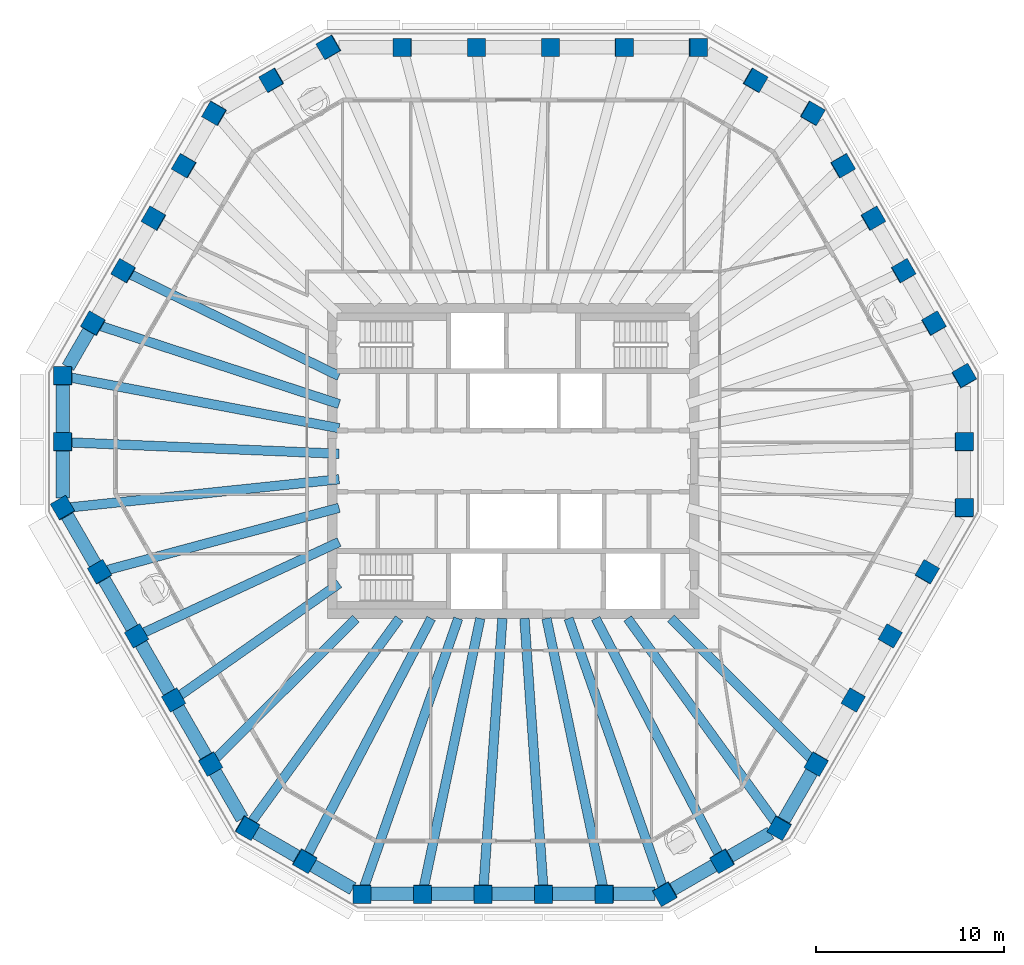
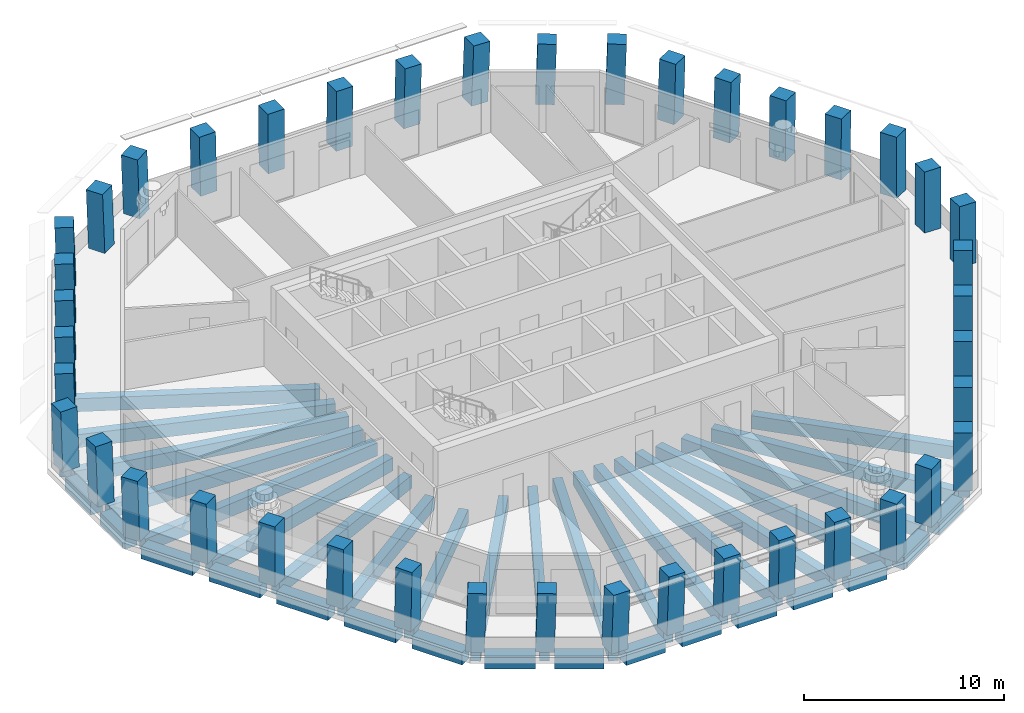
# One storey, part 1 of 11: 42 columns, 38 beams.
"""IFC4 building model written with IfcOpenShell, lengths in metres."""

from ifc_helpers import new_model, si_unit, direction, frame, origin, origin_2d, place, context, subcontext, project, spatial, rectangle, extrude, material, material_profile, profile_set, type_object, element, save


model = new_model("IFC4")

# Units and contexts
model_context = context("Model", 3, precision=1e-05, world=origin(), true_north=direction((0.0, 1.0)))
body_context = subcontext(model_context, "Body", "Model", "MODEL_VIEW")
ifc_project = project(units=[si_unit("LENGTHUNIT", "METRE"), si_unit("AREAUNIT", "SQUARE_METRE"), si_unit("VOLUMEUNIT", "CUBIC_METRE"), si_unit("PLANEANGLEUNIT", "RADIAN"), si_unit("MASSUNIT", "GRAM", prefix="KILO")], contexts=[model_context])

# Site, building, storey
site_placement = place(None, origin())
site = spatial("IfcSite", under=ifc_project, at=site_placement, CompositionType="ELEMENT")
building_placement = place(site_placement, origin())
building = spatial("IfcBuilding", under=site, at=building_placement, Name="Frailejon Research Tower", CompositionType="ELEMENT")
storey_placement = place(building_placement, frame((0.0, 0.0, 295.0)))
storey = spatial("IfcBuildingStorey", under=building, at=storey_placement, Name="L65", CompositionType="ELEMENT", Elevation=295.0)

# Columns
ifc_material_1 = material(Name="Concrete C50/60", Category="concrete")
ifc_material_profile_1 = material_profile(ifc_material_1, rectangle(XDim=0.949951171875, YDim=0.949951171875, at=origin_2d()), Name="Column 950")
ifc_profile_set_1 = profile_set([ifc_material_profile_1], Name="Concrete C50/60")
column_type = type_object("IfcColumnType", Name="Column 950", PredefinedType="COLUMN", material=ifc_profile_set_1)
for number, where, z_axis, x_axis, name in (
    (1, (23.904296875, -2.496337890625, 0.0), (0.018164955404, 0.03143676784, 0.99934066465), (-0.000376312415, 0.999505723656, -0.031435119977), "Column C01"),
    (2, (23.904296875, 1.005615234375, 0.0), (0.018164955404, 0.03143676784, 0.99934066465), (-0.000376312415, 0.999505723656, -0.031435119977), "Column C02"),
    (3, (23.904296875, 4.507568359375, 0.0), (0.018164955404, 0.03143676784, 0.99934066465), (-0.500243362495, 0.865694824541, -0.018139708999), "Column C03"),
):
    element("IfcColumn", number, at=place(storey_placement, frame(where, z_axis=z_axis, x_axis=x_axis)), inside=storey, type_object=column_type, Name=name, PredefinedType="COLUMN", context=body_context, shape_type="SweptSolid", body=[
        extrude(rectangle(XDim=0.949951171875, YDim=0.949951171875, at=origin_2d()), origin(), (0.0, 0.0, 1.0), 3.642333984375),
    ])
column_1_placement = place(storey_placement, frame((22.294677734375, 7.295654296875, 0.0), z_axis=(0.021786848517, 0.025138671366, 0.999446537056), x_axis=(-0.499840745781, 0.866048897927, -0.010887389788)))
element("IfcColumn", 4, at=column_1_placement, inside=storey, type_object=column_type, Name="Column C04", PredefinedType="COLUMN", context=body_context, shape_type="SweptSolid", body=[
    extrude(rectangle(XDim=0.949951171875, YDim=0.949951171875, at=origin_2d()), origin(), (0.0, 0.0, 1.0), 3.641845703125),
])
for number, where, z_axis, x_axis, name in (
    (5, (20.68505859375, 10.083740234375, 0.0), (0.025408167311, 0.018838245421, 0.999499647595), (-0.499703712508, 0.866188822081, -0.003622734722), "Column C05"),
    (6, (19.0751953125, 12.871826171875, 0.0), (0.029028337746, 0.012536487664, 0.999499971028), (-0.499520818378, 0.866294227933, 0.003641793127), "Column C06"),
):
    element("IfcColumn", number, at=place(storey_placement, frame(where, z_axis=z_axis, x_axis=x_axis)), inside=storey, type_object=column_type, Name=name, PredefinedType="COLUMN", context=body_context, shape_type="SweptSolid", body=[
        extrude(rectangle(XDim=0.949951171875, YDim=0.949951171875, at=origin_2d()), origin(), (0.0, 0.0, 1.0), 3.6416015625),
    ])
column_2_placement = place(storey_placement, frame((17.465576171875, 15.659912109375, 0.0), z_axis=(0.032646772519, 0.006301430425, 0.999447087253), x_axis=(-0.500366215775, 0.865745428355, 0.010885926408)))
element("IfcColumn", 7, at=column_2_placement, inside=storey, type_object=column_type, Name="Column C07", PredefinedType="COLUMN", context=body_context, shape_type="SweptSolid", body=[
    extrude(rectangle(XDim=0.949951171875, YDim=0.949951171875, at=origin_2d()), origin(), (0.0, 0.0, 1.0), 3.641845703125),
])
for number, where, z_axis, x_axis, name in (
    (8, (15.85595703125, 18.447998046875, 0.0), (0.036262940188, 0.0, 0.999342283289), (-0.865313618606, 0.500246354177, 0.03139946795), "Column C08"),
    (9, (12.822998046875, 20.198974609375, 0.0), (0.036262940188, 0.0, 0.999342283289), (-0.865313618606, 0.500246354177, 0.03139946795), "Column C09"),
    (10, (9.790283203125, 21.949951171875, 0.0), (0.036262940188, 0.0, 0.999342283289), (-0.999342283289, 0.0, 0.036262940188), "Column C10"),
):
    element("IfcColumn", number, at=place(storey_placement, frame(where, z_axis=z_axis, x_axis=x_axis)), inside=storey, type_object=column_type, Name=name, PredefinedType="COLUMN", context=body_context, shape_type="SweptSolid", body=[
        extrude(rectangle(XDim=0.949951171875, YDim=0.949951171875, at=origin_2d()), origin(), (0.0, 0.0, 1.0), 3.642333984375),
    ])
column_3_placement = place(storey_placement, frame((5.874267578125, 21.949951171875, 0.0), z_axis=(0.021793735912, 0.0, 0.999762488332), x_axis=(-0.999762488332, 0.0, 0.021793735912)))
element("IfcColumn", 11, at=column_3_placement, inside=storey, type_object=column_type, Name="Column C11", PredefinedType="COLUMN", context=body_context, shape_type="SweptSolid", body=[
    extrude(rectangle(XDim=0.949951171875, YDim=0.949951171875, at=origin_2d()), origin(), (0.0, 0.0, 1.0), 3.640869140625),
])
for number, where, z_axis, x_axis, name in (
    (12, (1.9580078125, 21.949951171875, 0.0), (0.00729077612, 0.0, 0.999973421939), (-0.999973421939, 0.0, 0.00729077612), "Column C12"),
    (13, (-1.9580078125, 21.949951171875, 0.0), (-0.00729077612, 0.0, 0.999973421939), (-0.999973421939, 0.0, -0.00729077612), "Column C13"),
):
    element("IfcColumn", number, at=place(storey_placement, frame(where, z_axis=z_axis, x_axis=x_axis)), inside=storey, type_object=column_type, Name=name, PredefinedType="COLUMN", context=body_context, shape_type="SweptSolid", body=[
        extrude(rectangle(XDim=0.949951171875, YDim=0.949951171875, at=origin_2d()), origin(), (0.0, 0.0, 1.0), 3.64990234375),
    ])
column_4_placement = place(storey_placement, frame((-5.874267578125, 21.949951171875, 0.0), z_axis=(-0.021793735912, 0.0, 0.999762488332), x_axis=(-0.999762488332, 0.0, -0.021793735912)))
element("IfcColumn", 14, at=column_4_placement, inside=storey, type_object=column_type, Name="Column C14", PredefinedType="COLUMN", context=body_context, shape_type="SweptSolid", body=[
    extrude(rectangle(XDim=0.949951171875, YDim=0.949951171875, at=origin_2d()), origin(), (0.0, 0.0, 1.0), 3.640869140625),
])
for number, where, z_axis, x_axis, name in (
    (15, (-9.790283203125, 21.949951171875, 0.0), (-0.036262940188, 0.0, 0.999342283289), (-0.865313618606, -0.500246354177, -0.03139946795), "Column C15"),
    (16, (-12.822998046875, 20.198974609375, 0.0), (-0.036262940188, 0.0, 0.999342283289), (-0.865313618606, -0.500246354177, -0.03139946795), "Column C16"),
    (17, (-15.85595703125, 18.447998046875, 0.0), (-0.036262940188, 0.0, 0.999342283289), (-0.499424909059, -0.866167613071, -0.0181225351), "Column C17"),
):
    element("IfcColumn", number, at=place(storey_placement, frame(where, z_axis=z_axis, x_axis=x_axis)), inside=storey, type_object=column_type, Name=name, PredefinedType="COLUMN", context=body_context, shape_type="SweptSolid", body=[
        extrude(rectangle(XDim=0.949951171875, YDim=0.949951171875, at=origin_2d()), origin(), (0.0, 0.0, 1.0), 3.642333984375),
    ])
column_5_placement = place(storey_placement, frame((-17.465576171875, 15.659912109375, 0.0), z_axis=(-0.032646772519, 0.006301430425, 0.999447087253), x_axis=(-0.500366215775, -0.865745428355, -0.010885926408)))
element("IfcColumn", 18, at=column_5_placement, inside=storey, type_object=column_type, Name="Column C18", PredefinedType="COLUMN", context=body_context, shape_type="SweptSolid", body=[
    extrude(rectangle(XDim=0.949951171875, YDim=0.949951171875, at=origin_2d()), origin(), (0.0, 0.0, 1.0), 3.641845703125),
])
for number, where, z_axis, x_axis, name in (
    (19, (-19.0751953125, 12.871826171875, 0.0), (-0.029028337746, 0.012536487664, 0.999499971028), (-0.499520818378, -0.866294227933, -0.003641793127), "Column C19"),
    (20, (-20.68505859375, 10.083740234375, 0.0), (-0.025408167311, 0.018838245421, 0.999499647595), (-0.499703712508, -0.866188822081, 0.003622734722), "Column C20"),
):
    element("IfcColumn", number, at=place(storey_placement, frame(where, z_axis=z_axis, x_axis=x_axis)), inside=storey, type_object=column_type, Name=name, PredefinedType="COLUMN", context=body_context, shape_type="SweptSolid", body=[
        extrude(rectangle(XDim=0.949951171875, YDim=0.949951171875, at=origin_2d()), origin(), (0.0, 0.0, 1.0), 3.6416015625),
    ])
column_6_placement = place(storey_placement, frame((-22.294677734375, 7.295654296875, 0.0), z_axis=(-0.021786848517, 0.025138671366, 0.999446537056), x_axis=(-0.499840745781, -0.866048897927, 0.010887389788)))
element("IfcColumn", 21, at=column_6_placement, inside=storey, type_object=column_type, Name="Column C21", PredefinedType="COLUMN", context=body_context, shape_type="SweptSolid", body=[
    extrude(rectangle(XDim=0.949951171875, YDim=0.949951171875, at=origin_2d()), origin(), (0.0, 0.0, 1.0), 3.641845703125),
])
for number, where, z_axis, x_axis, name in (
    (22, (-23.904296875, 4.507568359375, 0.0), (-0.018164955404, 0.03143676784, 0.99934066465), (-0.000376312415, -0.999505723656, 0.031435119977), "Column C22"),
    (23, (-23.904296875, 1.005615234375, 0.0), (-0.018164955404, 0.03143676784, 0.99934066465), (-0.000376312415, -0.999505723656, 0.031435119977), "Column C23"),
    (24, (-23.904296875, -2.496337890625, 0.0), (-0.018164955404, 0.03143676784, 0.99934066465), (0.499837937326, -0.865357614208, 0.036307519088), "Column C24"),
):
    element("IfcColumn", number, at=place(storey_placement, frame(where, z_axis=z_axis, x_axis=x_axis)), inside=storey, type_object=column_type, Name=name, PredefinedType="COLUMN", context=body_context, shape_type="SweptSolid", body=[
        extrude(rectangle(XDim=0.949951171875, YDim=0.949951171875, at=origin_2d()), origin(), (0.0, 0.0, 1.0), 3.642333984375),
    ])
column_7_placement = place(storey_placement, frame((-21.9462890625, -5.8876953125, 0.0), z_axis=(-0.010930399115, 0.018843203382, 0.999762701876), x_axis=(0.501922852191, -0.864638022851, 0.021783936503)))
element("IfcColumn", 25, at=column_7_placement, inside=storey, type_object=column_type, Name="Column C25", PredefinedType="COLUMN", context=body_context, shape_type="SweptSolid", body=[
    extrude(rectangle(XDim=0.949951171875, YDim=0.949951171875, at=origin_2d()), origin(), (0.0, 0.0, 1.0), 3.640869140625),
])
for number, where, z_axis, x_axis, name in (
    (26, (-19.98828125, -9.279296875, 0.0), (-0.003611945175, 0.00628746012, 0.999973710503), (0.499382072477, -0.866351526517, 0.007251081967), "Column C26"),
    (27, (-18.0302734375, -12.670654296875, 0.0), (0.003611945175, -0.00628746012, 0.999973710503), (0.499382072477, -0.866351526517, -0.007251081967), "Column C27"),
):
    element("IfcColumn", number, at=place(storey_placement, frame(where, z_axis=z_axis, x_axis=x_axis)), inside=storey, type_object=column_type, Name=name, PredefinedType="COLUMN", context=body_context, shape_type="SweptSolid", body=[
        extrude(rectangle(XDim=0.949951171875, YDim=0.949951171875, at=origin_2d()), origin(), (0.0, 0.0, 1.0), 3.64990234375),
    ])
column_8_placement = place(storey_placement, frame((-16.072265625, -16.062255859375, 0.0), z_axis=(0.010930399115, -0.018843203382, 0.999762701876), x_axis=(0.501062225234, -0.865137045051, -0.021783932683)))
element("IfcColumn", 28, at=column_8_placement, inside=storey, type_object=column_type, Name="Column C28", PredefinedType="COLUMN", context=body_context, shape_type="SweptSolid", body=[
    extrude(rectangle(XDim=0.949951171875, YDim=0.949951171875, at=origin_2d()), origin(), (0.0, 0.0, 1.0), 3.640869140625),
])
for number, where, z_axis, x_axis, name in (
    (29, (-14.114013671875, -19.45361328125, 0.0), (0.018097948044, -0.031436806046, 0.99934187919), (0.865180544284, -0.500475684362, -0.031412022464), "Column C29"),
    (30, (-11.081298828125, -21.20458984375, 0.0), (0.018164955404, -0.03143676784, 0.99934066465), (0.865979654382, -0.499089874364, -0.031440984467), "Column C30"),
    (31, (-8.048583984375, -22.95556640625, 0.0), (0.018164955404, -0.03143676784, 0.99934066465), (0.999834984703, 0.000765393762, -0.018149863249), "Column C31"),
):
    element("IfcColumn", number, at=place(storey_placement, frame(where, z_axis=z_axis, x_axis=x_axis)), inside=storey, type_object=column_type, Name=name, PredefinedType="COLUMN", context=body_context, shape_type="SweptSolid", body=[
        extrude(rectangle(XDim=0.949951171875, YDim=0.949951171875, at=origin_2d()), origin(), (0.0, 0.0, 1.0), 3.642333984375),
    ])
column_9_placement = place(storey_placement, frame((-4.8291015625, -22.95556640625, 0.0), z_axis=(0.010859907128, -0.031440101501, 0.999446638113), x_axis=(0.999940862965, -0.000235344441, -0.010872680686)))
element("IfcColumn", 32, at=column_9_placement, inside=storey, type_object=column_type, Name="Column C32", PredefinedType="COLUMN", context=body_context, shape_type="SweptSolid", body=[
    extrude(rectangle(XDim=0.949951171875, YDim=0.949951171875, at=origin_2d()), origin(), (0.0, 0.0, 1.0), 3.641845703125),
])
for number, where, z_axis, x_axis, name in (
    (33, (-1.609619140625, -22.95556640625, 0.0), (0.003620158804, -0.031441749617, 0.99949902993), (0.999993424429, -9.9492807e-05, -0.003625079284), "Column C33"),
    (34, (1.609619140625, -22.95556640625, 0.0), (-0.003620158804, -0.031441749617, 0.99949902993), (0.999993424429, 9.9492807e-05, 0.003625079284), "Column C34"),
):
    element("IfcColumn", number, at=place(storey_placement, frame(where, z_axis=z_axis, x_axis=x_axis)), inside=storey, type_object=column_type, Name=name, PredefinedType="COLUMN", context=body_context, shape_type="SweptSolid", body=[
        extrude(rectangle(XDim=0.949951171875, YDim=0.949951171875, at=origin_2d()), origin(), (0.0, 0.0, 1.0), 3.6416015625),
    ])
column_10_placement = place(storey_placement, frame((4.8291015625, -22.95556640625, 0.0), z_axis=(-0.010859907128, -0.031440101501, 0.999446638113), x_axis=(0.999940862965, 0.000235344441, 0.010872680686)))
element("IfcColumn", 35, at=column_10_placement, inside=storey, type_object=column_type, Name="Column C35", PredefinedType="COLUMN", context=body_context, shape_type="SweptSolid", body=[
    extrude(rectangle(XDim=0.949951171875, YDim=0.949951171875, at=origin_2d()), origin(), (0.0, 0.0, 1.0), 3.641845703125),
])
for number, where, z_axis, x_axis, name in (
    (36, (8.048583984375, -22.95556640625, 0.0), (-0.018164955404, -0.03143676784, 0.99934066465), (0.865979654382, 0.499089874364, 0.031440984467), "Column C36"),
    (37, (11.081298828125, -21.20458984375, 0.0), (-0.018164955404, -0.03143676784, 0.99934066465), (0.865979654382, 0.499089874364, 0.031440984467), "Column C37"),
    (38, (14.114013671875, -19.45361328125, 0.0), (-0.018097948044, -0.031436806046, 0.99934187919), (0.498453361452, 0.866157282481, 0.036274074256), "Column C38"),
):
    element("IfcColumn", number, at=place(storey_placement, frame(where, z_axis=z_axis, x_axis=x_axis)), inside=storey, type_object=column_type, Name=name, PredefinedType="COLUMN", context=body_context, shape_type="SweptSolid", body=[
        extrude(rectangle(XDim=0.949951171875, YDim=0.949951171875, at=origin_2d()), origin(), (0.0, 0.0, 1.0), 3.642333984375),
    ])
column_11_placement = place(storey_placement, frame((16.072265625, -16.062255859375, 0.0), z_axis=(-0.010930399115, -0.018843203382, 0.999762701876), x_axis=(0.501062225234, 0.865137045051, 0.021783932683)))
element("IfcColumn", 39, at=column_11_placement, inside=storey, type_object=column_type, Name="Column C39", PredefinedType="COLUMN", context=body_context, shape_type="SweptSolid", body=[
    extrude(rectangle(XDim=0.949951171875, YDim=0.949951171875, at=origin_2d()), origin(), (0.0, 0.0, 1.0), 3.640869140625),
])
for number, where, z_axis, x_axis, name in (
    (40, (18.0302734375, -12.670654296875, 0.0), (-0.003611945175, -0.00628746012, 0.999973710503), (0.499382072477, 0.866351526517, 0.007251081967), "Column C40"),
    (41, (19.98828125, -9.279296875, 0.0), (0.003611945175, 0.00628746012, 0.999973710503), (0.499382072477, 0.866351526517, -0.007251081967), "Column C41"),
):
    element("IfcColumn", number, at=place(storey_placement, frame(where, z_axis=z_axis, x_axis=x_axis)), inside=storey, type_object=column_type, Name=name, PredefinedType="COLUMN", context=body_context, shape_type="SweptSolid", body=[
        extrude(rectangle(XDim=0.949951171875, YDim=0.949951171875, at=origin_2d()), origin(), (0.0, 0.0, 1.0), 3.64990234375),
    ])
column_12_placement = place(storey_placement, frame((21.9462890625, -5.8876953125, 0.0), z_axis=(0.010930399115, 0.018843203382, 0.999762701876), x_axis=(0.501922852191, 0.864638022851, -0.021783936503)))
element("IfcColumn", 42, at=column_12_placement, inside=storey, type_object=column_type, Name="Column C42", PredefinedType="COLUMN", context=body_context, shape_type="SweptSolid", body=[
    extrude(rectangle(XDim=0.949951171875, YDim=0.949951171875, at=origin_2d()), origin(), (0.0, 0.0, 1.0), 3.640869140625),
])

# Beams
ifc_material_2 = material(Name="Concrete C60/75", Category="concrete")
ifc_material_profile_2 = material_profile(ifc_material_2, rectangle(XDim=0.5, YDim=0.800048828125, at=origin_2d()), Name="Girder 500x800")
ifc_profile_set_2 = profile_set([ifc_material_profile_2], Name="Concrete C60/75")
beam_type_1 = type_object("IfcBeamType", Name="Girder 500x800", PredefinedType="BEAM", material=ifc_profile_set_2)
beam_1_placement = place(storey_placement, frame((-20.391845703125, 9.94091796875, -0.699951171875), z_axis=(0.898876695424, -0.438201650411, 0.0), x_axis=(0.438201650411, 0.898876695424, 0.0)))
element("IfcBeam", 43, at=beam_1_placement, inside=storey, type_object=beam_type_1, Name="Girder 500x800", PredefinedType="BEAM", context=body_context, shape_type="SweptSolid", body=[
    extrude(rectangle(XDim=0.5, YDim=0.800048828125, at=origin_2d()), origin(), (0.0, 0.0, 1.0), 12.395263671875),
])
beam_2_placement = place(storey_placement, frame((-21.975830078125, 7.19140625, -0.699951171875), z_axis=(0.950408398304, -0.311004624458, 0.0), x_axis=(0.311004624458, 0.950408398304, 0.0)))
element("IfcBeam", 44, at=beam_2_placement, inside=storey, type_object=beam_type_1, Name="Girder 500x800", PredefinedType="BEAM", context=body_context, shape_type="SweptSolid", body=[
    extrude(rectangle(XDim=0.5, YDim=0.800048828125, at=origin_2d()), origin(), (0.0, 0.0, 1.0), 13.389892578125),
])
beam_3_placement = place(storey_placement, frame((-23.576904296875, 4.44580078125, -0.699951171875), z_axis=(0.982683809216, -0.18529039669, 0.0), x_axis=(0.18529039669, 0.982683809216, 0.0)))
element("IfcBeam", 45, at=beam_3_placement, inside=storey, type_object=beam_type_1, Name="Girder 500x800", PredefinedType="BEAM", context=body_context, shape_type="SweptSolid", body=[
    extrude(rectangle(XDim=0.5, YDim=0.800048828125, at=origin_2d()), origin(), (0.0, 0.0, 1.0), 14.579345703125),
])
beam_4_placement = place(storey_placement, frame((-23.579345703125, 0.991943359375, -0.699951171875), z_axis=(0.999116383848, -0.042029174718, 0.0), x_axis=(0.042029174718, 0.999116383848, 0.0)))
element("IfcBeam", 46, at=beam_4_placement, inside=storey, type_object=beam_type_1, Name="Girder 500x800", PredefinedType="BEAM", context=body_context, shape_type="SweptSolid", body=[
    extrude(rectangle(XDim=0.5, YDim=0.800048828125, at=origin_2d()), origin(), (0.0, 0.0, 1.0), 14.342041015625),
])
beam_5_placement = place(storey_placement, frame((-23.536376953125, -2.4580078125, -0.699951171875), z_axis=(0.994591263439, 0.103866350135, 0.0), x_axis=(-0.103866350135, 0.994591263439, 0.0)))
element("IfcBeam", 47, at=beam_5_placement, inside=storey, type_object=beam_type_1, Name="Girder 500x800", PredefinedType="BEAM", context=body_context, shape_type="SweptSolid", body=[
    extrude(rectangle(XDim=0.5, YDim=0.800048828125, at=origin_2d()), origin(), (0.0, 0.0, 1.0), 14.364013671875),
])
beam_6_placement = place(storey_placement, frame((-21.616455078125, -5.79931640625, -0.699951171875), z_axis=(0.965846794613, 0.259113815411, 0.0), x_axis=(-0.259113815411, 0.965846794613, 0.0)))
element("IfcBeam", 48, at=beam_6_placement, inside=storey, type_object=beam_type_1, Name="Girder 500x800", PredefinedType="BEAM", context=body_context, shape_type="SweptSolid", body=[
    extrude(rectangle(XDim=0.5, YDim=0.800048828125, at=origin_2d()), origin(), (0.0, 0.0, 1.0), 12.8037109375),
])
beam_7_placement = place(storey_placement, frame((-19.69189453125, -9.1416015625, -0.699951171875), z_axis=(0.907029216956, 0.421067690032, 0.0), x_axis=(-0.421067690032, 0.907029216956, 0.0)))
element("IfcBeam", 49, at=beam_7_placement, inside=storey, type_object=beam_type_1, Name="Girder 500x800", PredefinedType="BEAM", context=body_context, shape_type="SweptSolid", body=[
    extrude(rectangle(XDim=0.5, YDim=0.800048828125, at=origin_2d()), origin(), (0.0, 0.0, 1.0), 11.51220703125),
])
beam_8_placement = place(storey_placement, frame((-17.7626953125, -12.48291015625, -0.699951171875), z_axis=(0.81816782984, 0.574979479821, 0.0), x_axis=(-0.574979479821, 0.81816782984, 0.0)))
element("IfcBeam", 50, at=beam_8_placement, inside=storey, type_object=beam_type_1, Name="Girder 500x800", PredefinedType="BEAM", context=body_context, shape_type="SweptSolid", body=[
    extrude(rectangle(XDim=0.5, YDim=0.800048828125, at=origin_2d()), origin(), (0.0, 0.0, 1.0), 10.404541015625),
])
beam_9_placement = place(storey_placement, frame((-15.83056640625, -15.820556640625, -0.699951171875), z_axis=(0.707337756141, 0.70687573076, 0.0), x_axis=(-0.70687573076, 0.707337756141, 0.0)))
element("IfcBeam", 51, at=beam_9_placement, inside=storey, type_object=beam_type_1, Name="Girder 500x800", PredefinedType="BEAM", context=body_context, shape_type="SweptSolid", body=[
    extrude(rectangle(XDim=0.5, YDim=0.800048828125, at=origin_2d()), origin(), (0.0, 0.0, 1.0), 10.568359375),
])
beam_10_placement = place(storey_placement, frame((-13.921630859375, -19.188720703125, -0.699951171875), z_axis=(0.587237920644, 0.809414371356, 0.0), x_axis=(-0.809414371356, 0.587237920644, 0.0)))
element("IfcBeam", 52, at=beam_10_placement, inside=storey, type_object=beam_type_1, Name="Girder 500x800", PredefinedType="BEAM", context=body_context, shape_type="SweptSolid", body=[
    extrude(rectangle(XDim=0.5, YDim=0.800048828125, at=origin_2d()), origin(), (0.0, 0.0, 1.0), 13.390625),
])
beam_11_placement = place(storey_placement, frame((-10.9306640625, -20.916259765625, -0.699951171875), z_axis=(0.46316907009, 0.886269943365, 0.0), x_axis=(-0.886269943365, 0.46316907009, 0.0)))
element("IfcBeam", 53, at=beam_11_placement, inside=storey, type_object=beam_type_1, Name="Girder 500x800", PredefinedType="BEAM", context=body_context, shape_type="SweptSolid", body=[
    extrude(rectangle(XDim=0.5, YDim=0.800048828125, at=origin_2d()), origin(), (0.0, 0.0, 1.0), 14.1787109375),
])
beam_12_placement = place(storey_placement, frame((-7.931640625, -22.622314453125, -0.699951171875), z_axis=(0.330873118294, 0.943675251127, 0.0), x_axis=(-0.943675251127, 0.330873118294, 0.0)))
element("IfcBeam", 54, at=beam_12_placement, inside=storey, type_object=beam_type_1, Name="Girder 500x800", PredefinedType="BEAM", context=body_context, shape_type="SweptSolid", body=[
    extrude(rectangle(XDim=0.5, YDim=0.800048828125, at=origin_2d()), origin(), (0.0, 0.0, 1.0), 15.1240234375),
])
beam_13_placement = place(storey_placement, frame((-4.760009765625, -22.62744140625, -0.699951171875), z_axis=(0.205856990831, 0.978582086146, 0.0), x_axis=(-0.978582086146, 0.205856990831, 0.0)))
element("IfcBeam", 55, at=beam_13_placement, inside=storey, type_object=beam_type_1, Name="Girder 500x800", PredefinedType="BEAM", context=body_context, shape_type="SweptSolid", body=[
    extrude(rectangle(XDim=0.5, YDim=0.800048828125, at=origin_2d()), origin(), (0.0, 0.0, 1.0), 14.58984375),
])
for number, where, z_axis, x_axis, name in (
    (56, (-1.5869140625, -22.630126953125, -0.699951171875), (0.069958620404, 0.997549894206, 0.0), (-0.997549894206, 0.069958620404, 0.0), "Girder 500x800"),
    (57, (1.5869140625, -22.630126953125, -0.699951171875), (-0.069958620404, 0.997549894206, 0.0), (-0.997549894206, -0.069958620404, 0.0), "Girder 500x800"),
):
    element("IfcBeam", number, at=place(storey_placement, frame(where, z_axis=z_axis, x_axis=x_axis)), inside=storey, type_object=beam_type_1, Name=name, PredefinedType="BEAM", context=body_context, shape_type="SweptSolid", body=[
        extrude(rectangle(XDim=0.5, YDim=0.800048828125, at=origin_2d()), origin(), (0.0, 0.0, 1.0), 14.315185546875),
    ])
beam_14_placement = place(storey_placement, frame((4.760009765625, -22.62744140625, -0.699951171875), z_axis=(-0.205856990831, 0.978582086146, 0.0), x_axis=(-0.978582086146, -0.205856990831, 0.0)))
element("IfcBeam", 58, at=beam_14_placement, inside=storey, type_object=beam_type_1, Name="Girder 500x800", PredefinedType="BEAM", context=body_context, shape_type="SweptSolid", body=[
    extrude(rectangle(XDim=0.5, YDim=0.800048828125, at=origin_2d()), origin(), (0.0, 0.0, 1.0), 14.58984375),
])
beam_15_placement = place(storey_placement, frame((7.938232421875, -22.64111328125, -0.699951171875), z_axis=(-0.330873148746, 0.94367524045, 0.0), x_axis=(-0.94367524045, -0.330873148746, 0.0)))
element("IfcBeam", 59, at=beam_15_placement, inside=storey, type_object=beam_type_1, Name="Girder 500x800", PredefinedType="BEAM", context=body_context, shape_type="SweptSolid", body=[
    extrude(rectangle(XDim=0.5, YDim=0.800048828125, at=origin_2d()), origin(), (0.0, 0.0, 1.0), 15.14404296875),
])
beam_16_placement = place(storey_placement, frame((10.9306640625, -20.916259765625, -0.699951171875), z_axis=(-0.46316907009, 0.886269943365, 0.0), x_axis=(-0.886269943365, -0.46316907009, 0.0)))
element("IfcBeam", 60, at=beam_16_placement, inside=storey, type_object=beam_type_1, Name="Girder 500x800", PredefinedType="BEAM", context=body_context, shape_type="SweptSolid", body=[
    extrude(rectangle(XDim=0.5, YDim=0.800048828125, at=origin_2d()), origin(), (0.0, 0.0, 1.0), 14.1787109375),
])
beam_17_placement = place(storey_placement, frame((13.896728515625, -19.154052734375, -0.699951171875), z_axis=(-0.587250171597, 0.809405483031, 0.0), x_axis=(-0.809405483031, -0.587250171597, 0.0)))
element("IfcBeam", 61, at=beam_17_placement, inside=storey, type_object=beam_type_1, Name="Girder 500x800", PredefinedType="BEAM", context=body_context, shape_type="SweptSolid", body=[
    extrude(rectangle(XDim=0.5, YDim=0.800048828125, at=origin_2d()), origin(), (0.0, 0.0, 1.0), 13.347900390625),
])
beam_18_placement = place(storey_placement, frame((15.83056640625, -15.820556640625, -0.699951171875), z_axis=(-0.707337756141, 0.70687573076, 0.0), x_axis=(-0.70687573076, -0.707337756141, 0.0)))
element("IfcBeam", 62, at=beam_18_placement, inside=storey, type_object=beam_type_1, Name="Girder 500x800", PredefinedType="BEAM", context=body_context, shape_type="SweptSolid", body=[
    extrude(rectangle(XDim=0.5, YDim=0.800048828125, at=origin_2d()), origin(), (0.0, 0.0, 1.0), 10.568359375),
])
ifc_material_3 = material(Name="Concrete C60/75", Category="concrete")
ifc_material_profile_3 = material_profile(ifc_material_3, rectangle(XDim=0.699951171875, YDim=0.75, at=origin_2d()), Name="Spandrel 700x750")
ifc_profile_set_3 = profile_set([ifc_material_profile_3], Name="Concrete C60/75")
beam_type_2 = type_object("IfcBeamType", Name="Spandrel 700x750", PredefinedType="BEAM", material=ifc_profile_set_3)
beam_19_placement = place(storey_placement, frame((-22.5322265625, 6.88427734375, -0.72509765625), z_axis=(-0.50000156382, -0.866024500911, 0.0), x_axis=(0.866024500911, -0.50000156382, 0.0)))
element("IfcBeam", 63, at=beam_19_placement, inside=storey, type_object=beam_type_2, Name="Spandrel 700x750", PredefinedType="BEAM", context=body_context, shape_type="SweptSolid", body=[
    extrude(rectangle(XDim=0.699951171875, YDim=0.75, at=origin_2d()), origin(), (0.0, 0.0, 1.0), 2.19580078125),
])
beam_20_placement = place(storey_placement, frame((-23.904296875, 4.03271484375, -0.72509765625), z_axis=(0.0, -1.0, 0.0), x_axis=(1.0, 0.0, 0.0)))
element("IfcBeam", 64, at=beam_20_placement, inside=storey, type_object=beam_type_2, Name="Spandrel 700x750", PredefinedType="BEAM", context=body_context, shape_type="SweptSolid", body=[
    extrude(rectangle(XDim=0.699951171875, YDim=0.75, at=origin_2d()), origin(), (0.0, 0.0, 1.0), 2.552001953125),
])
beam_21_placement = place(storey_placement, frame((-23.904296875, 0.530517578125, -0.72509765625), z_axis=(0.0, -1.0, 0.0), x_axis=(1.0, 0.0, 0.0)))
element("IfcBeam", 65, at=beam_21_placement, inside=storey, type_object=beam_type_2, Name="Spandrel 700x750", PredefinedType="BEAM", context=body_context, shape_type="SweptSolid", body=[
    extrude(rectangle(XDim=0.699951171875, YDim=0.75, at=origin_2d()), origin(), (0.0, 0.0, 1.0), 2.478271484375),
])
for number, where, z_axis, x_axis, name in (
    (66, (-23.6669921875, -2.90771484375, -0.72509765625), (0.500043078269, -0.866000531106, 0.0), (0.866000531106, 0.500043078269, 0.0), "Spandrel 700x750"),
    (67, (-21.708984375, -6.29931640625, -0.72509765625), (0.500043078269, -0.866000531106, 0.0), (0.866000531106, 0.500043078269, 0.0), "Spandrel 700x750"),
    (68, (-19.750732421875, -9.690673828125, -0.72509765625), (0.500043078269, -0.866000531106, 0.0), (0.866000531106, 0.500043078269, 0.0), "Spandrel 700x750"),
    (69, (-17.792724609375, -13.08203125, -0.72509765625), (0.499945703851, -0.866056749411, 0.0), (0.866056749411, 0.499945703851, 0.0), "Spandrel 700x750"),
):
    element("IfcBeam", number, at=place(storey_placement, frame(where, z_axis=z_axis, x_axis=x_axis)), inside=storey, type_object=beam_type_2, Name=name, PredefinedType="BEAM", context=body_context, shape_type="SweptSolid", body=[
        extrude(rectangle(XDim=0.699951171875, YDim=0.75, at=origin_2d()), origin(), (0.0, 0.0, 1.0), 2.966064453125),
    ])
beam_22_placement = place(storey_placement, frame((-15.834716796875, -16.4736328125, -0.72509765625), z_axis=(0.500051199802, -0.865995841547, 0.0), x_axis=(0.865995841547, 0.500051199802, 0.0)))
element("IfcBeam", 70, at=beam_22_placement, inside=storey, type_object=beam_type_2, Name="Spandrel 700x750", PredefinedType="BEAM", context=body_context, shape_type="SweptSolid", body=[
    extrude(rectangle(XDim=0.699951171875, YDim=0.75, at=origin_2d()), origin(), (0.0, 0.0, 1.0), 2.892822265625),
])
beam_23_placement = place(storey_placement, frame((-13.70263671875, -19.691162109375, -0.72509765625), z_axis=(0.865991210529, -0.500059219779, 0.0), x_axis=(0.500059219779, 0.865991210529, 0.0)))
element("IfcBeam", 71, at=beam_23_placement, inside=storey, type_object=beam_type_2, Name="Spandrel 700x750", PredefinedType="BEAM", context=body_context, shape_type="SweptSolid", body=[
    extrude(rectangle(XDim=0.699951171875, YDim=0.75, at=origin_2d()), origin(), (0.0, 0.0, 1.0), 2.552001953125),
])
beam_24_placement = place(storey_placement, frame((-10.669921875, -21.442138671875, -0.72509765625), z_axis=(0.866028115054, -0.499995303914, 0.0), x_axis=(0.499995303914, 0.866028115054, 0.0)))
element("IfcBeam", 72, at=beam_24_placement, inside=storey, type_object=beam_type_2, Name="Spandrel 700x750", PredefinedType="BEAM", context=body_context, shape_type="SweptSolid", body=[
    extrude(rectangle(XDim=0.699951171875, YDim=0.75, at=origin_2d()), origin(), (0.0, 0.0, 1.0), 2.478515625),
])
for number, where, z_axis, x_axis, name in (
    (73, (-7.573486328125, -22.95556640625, -0.72509765625), (1.0, 0.0, 0.0), (0.0, 1.0, 0.0), "Spandrel 700x750"),
    (74, (-4.35400390625, -22.95556640625, -0.72509765625), (1.0, 0.0, 0.0), (0.0, 1.0, 0.0), "Spandrel 700x750"),
):
    element("IfcBeam", number, at=place(storey_placement, frame(where, z_axis=z_axis, x_axis=x_axis)), inside=storey, type_object=beam_type_2, Name=name, PredefinedType="BEAM", context=body_context, shape_type="SweptSolid", body=[
        extrude(rectangle(XDim=0.699951171875, YDim=0.75, at=origin_2d()), origin(), (0.0, 0.0, 1.0), 2.269287109375),
    ])
beam_25_placement = place(storey_placement, frame((-1.134765625, -22.95556640625, -0.72509765625), z_axis=(1.0, 0.0, 0.0), x_axis=(0.0, 1.0, 0.0)))
element("IfcBeam", 75, at=beam_25_placement, inside=storey, type_object=beam_type_2, Name="Spandrel 700x750", PredefinedType="BEAM", context=body_context, shape_type="SweptSolid", body=[
    extrude(rectangle(XDim=0.699951171875, YDim=0.75, at=origin_2d()), origin(), (0.0, 0.0, 1.0), 2.26953125),
])
beam_26_placement = place(storey_placement, frame((2.084716796875, -22.95556640625, -0.72509765625), z_axis=(1.0, 0.0, 0.0), x_axis=(0.0, 1.0, 0.0)))
element("IfcBeam", 76, at=beam_26_placement, inside=storey, type_object=beam_type_2, Name="Spandrel 700x750", PredefinedType="BEAM", context=body_context, shape_type="SweptSolid", body=[
    extrude(rectangle(XDim=0.699951171875, YDim=0.75, at=origin_2d()), origin(), (0.0, 0.0, 1.0), 2.269287109375),
])
beam_27_placement = place(storey_placement, frame((5.30419921875, -22.95556640625, -0.72509765625), z_axis=(1.0, 0.0, 0.0), x_axis=(0.0, 1.0, 0.0)))
element("IfcBeam", 77, at=beam_27_placement, inside=storey, type_object=beam_type_2, Name="Spandrel 700x750", PredefinedType="BEAM", context=body_context, shape_type="SweptSolid", body=[
    extrude(rectangle(XDim=0.699951171875, YDim=0.75, at=origin_2d()), origin(), (0.0, 0.0, 1.0), 2.19580078125),
])
beam_28_placement = place(storey_placement, frame((8.4599609375, -22.718017578125, -0.72509765625), z_axis=(0.866032638483, 0.499987468925, 0.0), x_axis=(-0.499987468925, 0.866032638483, 0.0)))
element("IfcBeam", 78, at=beam_28_placement, inside=storey, type_object=beam_type_2, Name="Spandrel 700x750", PredefinedType="BEAM", context=body_context, shape_type="SweptSolid", body=[
    extrude(rectangle(XDim=0.699951171875, YDim=0.75, at=origin_2d()), origin(), (0.0, 0.0, 1.0), 2.5517578125),
])
beam_29_placement = place(storey_placement, frame((11.49267578125, -20.96728515625, -0.72509765625), z_axis=(0.865985461726, 0.500069175294, 0.0), x_axis=(-0.500069175294, 0.865985461726, 0.0)))
element("IfcBeam", 79, at=beam_29_placement, inside=storey, type_object=beam_type_2, Name="Spandrel 700x750", PredefinedType="BEAM", context=body_context, shape_type="SweptSolid", body=[
    extrude(rectangle(XDim=0.699951171875, YDim=0.75, at=origin_2d()), origin(), (0.0, 0.0, 1.0), 2.478759765625),
])
beam_30_placement = place(storey_placement, frame((14.3515625, -19.042236328125, -0.72509765625), z_axis=(0.500043078269, 0.866000531106, 0.0), x_axis=(-0.866000531106, 0.500043078269, 0.0)))
element("IfcBeam", 80, at=beam_30_placement, inside=storey, type_object=beam_type_2, Name="Spandrel 700x750", PredefinedType="BEAM", context=body_context, shape_type="SweptSolid", body=[
    extrude(rectangle(XDim=0.699951171875, YDim=0.75, at=origin_2d()), origin(), (0.0, 0.0, 1.0), 2.966064453125),
])

save(model, "model.ifc")
